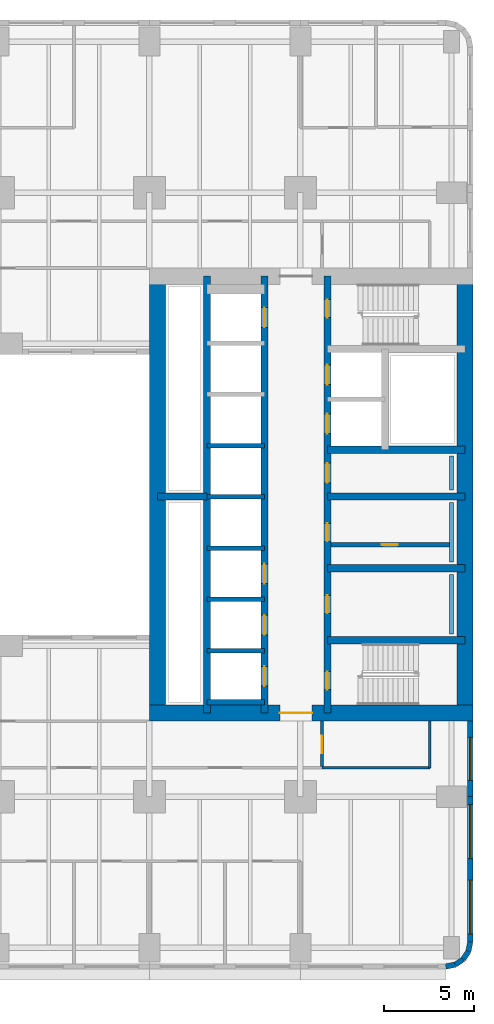
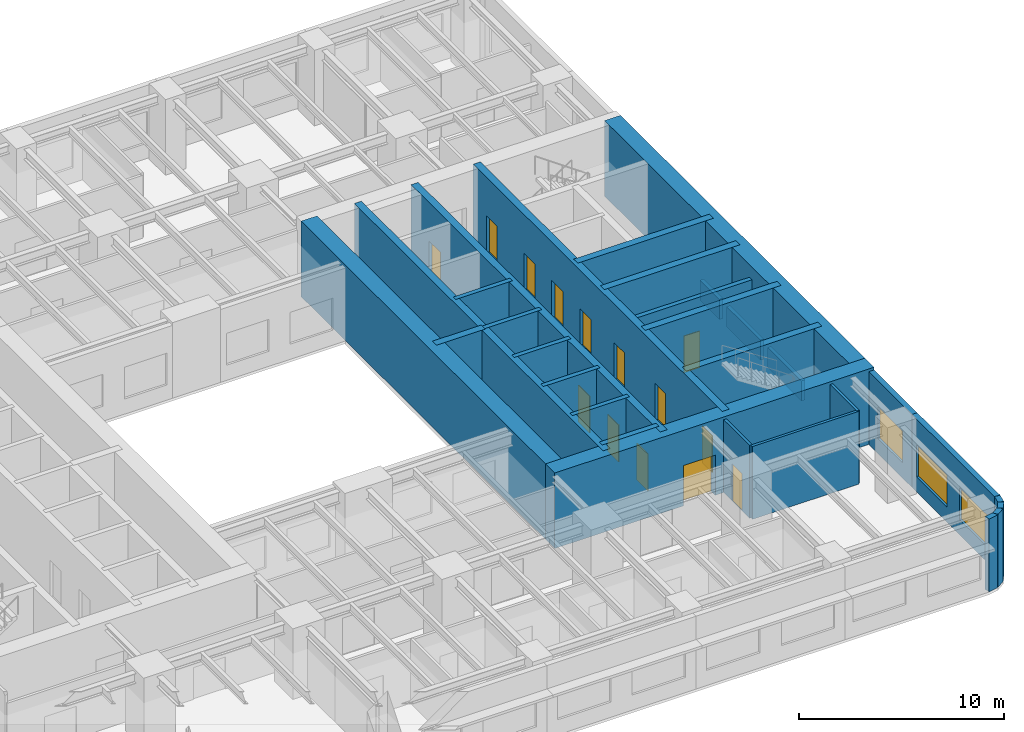
# One storey, part 5 of 12: 30 walls, 14 doors, 3 windows, 17 openings.
"""IFC4 building model written with IfcOpenShell, lengths in metres."""

from ifc_helpers import new_model, si_unit, direction, frame, frame_2d, origin, place, context, subcontext, project, spatial, rectangle, extrude, material, layer, layer_set, type_object, element, fill, save


model = new_model("IFC4")

# Units and contexts
model_context = context("Model", 3, precision=1e-05, world=origin(), true_north=direction((0.0, 1.0)))
body_context = subcontext(model_context, "Body", "Model", "MODEL_VIEW")
ifc_project = project(units=[si_unit("LENGTHUNIT", "METRE"), si_unit("AREAUNIT", "SQUARE_METRE"), si_unit("VOLUMEUNIT", "CUBIC_METRE"), si_unit("PLANEANGLEUNIT", "RADIAN"), si_unit("MASSUNIT", "GRAM", prefix="KILO")], contexts=[model_context])

# Site, building, storey
site_placement = place(None, origin())
site = spatial("IfcSite", under=ifc_project, at=site_placement, CompositionType="ELEMENT")
building_placement = place(site_placement, origin())
building = spatial("IfcBuilding", under=site, at=building_placement, Name="Claustro Exchange Tower", CompositionType="ELEMENT")
storey_placement = place(building_placement, frame((0.0, 0.0, 63.89990234375)))
storey = spatial("IfcBuildingStorey", under=building, at=storey_placement, Name="L14", CompositionType="ELEMENT", Elevation=63.89990234375)

# Wall, opening, door
ifc_material_1 = material(Name="Gypsum board on steel studs", Category="steel")
ifc_layer_1 = layer(ifc_material_1, 0.14990234375)
ifc_layer_set_1 = layer_set([ifc_layer_1], Name="Gypsum board on steel studs")
wall_type_1 = type_object("IfcWallType", Name="P1 150 plasterboard partition", PredefinedType="PARTITIONING", material=ifc_layer_set_1)
wall_1_placement = place(storey_placement, frame((43.199951171875, 10.073974609375, 0.0), z_axis=(0.0, 0.0, 1.0), x_axis=(0.0, 1.0, 0.0)))
wall_1 = element("IfcWall", 1, at=wall_1_placement, inside=storey, type_object=wall_type_1, Name="Partition P1 L14", PredefinedType="PARTITIONING", context=body_context, shape_type="SweptSolid", body=[
    extrude(rectangle(XDim=2.528076171875, YDim=0.14990234375, at=frame_2d((1.26416015625, 0.0))), origin(), (0.0, 0.0, 1.0), 4.340087890625),
])
opening_1_placement = place(wall_1_placement, frame((0.72607421875, 0.0, 0.0)))
opening_1 = element("IfcOpeningElement", 2, at=opening_1_placement, cuts=wall_1, Name="Opening D1", PredefinedType="OPENING", context=body_context, shape_type="SweptSolid", body=[
    extrude(rectangle(XDim=1.0, YDim=2.199951171875, at=frame_2d((0.5, 1.10009765625))), frame((0.0, 0.0849609375, 0.0), z_axis=(0.0, -1.0, 0.0), x_axis=(1.0, 0.0, 0.0)), (0.0, 0.0, 1.0), 0.169921875),
])
ifc_material_2 = material(Name="Timber door, oak veneer", Category="wood")
door_type_1 = type_object("IfcDoorType", Name="D1 1000 x 2200 single door", OperationType="SINGLE_SWING_LEFT", PredefinedType="DOOR", material=ifc_material_2)
door_1_placement = place(opening_1_placement, frame((1.0, 0.0, 0.0), z_axis=(0.0, 0.0, 1.0), x_axis=(-1.0, 0.0, 0.0)))
door_1 = element("IfcDoor", 3, at=door_1_placement, inside=storey, type_object=door_type_1, Name="Door D1 L14", OperationType="SINGLE_SWING_RIGHT", OverallHeight=2.199951171875, OverallWidth=1.0, PredefinedType="DOOR", context=body_context, shape_type="SweptSolid", body=[
    extrude(rectangle(XDim=1.0, YDim=2.199951171875, at=frame_2d((0.5, 1.10009765625))), frame((0.0, 0.02490234375, 0.0), z_axis=(0.0, -1.0, 0.0), x_axis=(1.0, 0.0, 0.0)), (0.0, 0.0, 1.0), 0.050048828125),
])
fill(opening_1, door_1)

# Walls
wall_2_placement = place(storey_placement, frame((43.197998046875, 10.0, 0.0), z_axis=(0.0, 0.0, 1.0), x_axis=(1.0, 0.0, 0.0)))
element("IfcWall", 4, at=wall_2_placement, inside=storey, type_object=wall_type_1, Name="Partition P1 L14", PredefinedType="PARTITIONING", context=body_context, shape_type="SweptSolid", body=[
    extrude(rectangle(XDim=6.001953125, YDim=0.14990234375, at=frame_2d((3.0009765625, 0.0))), origin(), (0.0, 0.0, 1.0), 4.340087890625),
])
wall_3_placement = place(storey_placement, frame((49.199951171875, 10.0, 0.0), z_axis=(0.0, 0.0, 1.0), x_axis=(0.0, 1.0, 0.0)))
element("IfcWall", 5, at=wall_3_placement, inside=storey, type_object=wall_type_1, Name="Partition P1 L14", PredefinedType="PARTITIONING", context=body_context, shape_type="SweptSolid", body=[
    extrude(rectangle(XDim=2.60205078125, YDim=0.14990234375, at=frame_2d((1.301025390625, 0.0))), origin(), (0.0, 0.0, 1.0), 4.340087890625),
])

# Wall, opening, door
ifc_material_3 = material(Name="Concrete blockwork, rendered", Category="masonry")
ifc_layer_2 = layer(ifc_material_3, 0.25)
ifc_layer_set_2 = layer_set([ifc_layer_2], Name="Concrete blockwork, rendered")
wall_type_2 = type_object("IfcWallType", Name="P4 250 blockwork wall", PredefinedType="PARTITIONING", material=ifc_layer_set_2)
wall_4_placement = place(storey_placement, frame((43.699951171875, 22.39990234375, 0.0), z_axis=(0.0, 0.0, 1.0), x_axis=(1.0, 0.0, 0.0)))
wall_4 = element("IfcWall", 6, at=wall_4_placement, inside=storey, type_object=wall_type_2, Name="Partition P4 L14", PredefinedType="PARTITIONING", context=body_context, shape_type="SweptSolid", body=[
    extrude(rectangle(XDim=6.60009765625, YDim=0.25, at=frame_2d((3.300048828125, 0.0))), origin(), (0.0, 0.0, 1.0), 4.300048828125),
])
opening_2_placement = place(wall_4_placement, frame((2.824951171875, 0.0, 0.0)))
opening_2 = element("IfcOpeningElement", 7, at=opening_2_placement, cuts=wall_4, Name="Opening D5", PredefinedType="OPENING", context=body_context, shape_type="SweptSolid", body=[
    extrude(rectangle(XDim=0.89990234375, YDim=2.199951171875, at=frame_2d((0.449951171875, 1.10009765625))), frame((0.0, 0.135009765625, 0.0), z_axis=(0.0, -1.0, 0.0), x_axis=(1.0, 0.0, 0.0)), (0.0, 0.0, 1.0), 0.27001953125),
])
ifc_material_4 = material(Name="Steel door, painted", Category="steel")
door_type_2 = type_object("IfcDoorType", Name="D5 900 x 2200 store door", OperationType="SINGLE_SWING_LEFT", PredefinedType="DOOR", material=ifc_material_4)
door_2_placement = place(opening_2_placement, frame((0.89990234375, 0.0, 0.0), z_axis=(0.0, 0.0, 1.0), x_axis=(-1.0, 0.0, 0.0)))
door_2 = element("IfcDoor", 8, at=door_2_placement, inside=storey, type_object=door_type_2, Name="Store door D5 L14", OperationType="SINGLE_SWING_LEFT", OverallHeight=2.199951171875, OverallWidth=0.89990234375, PredefinedType="DOOR", context=body_context, shape_type="SweptSolid", body=[
    extrude(rectangle(XDim=0.89990234375, YDim=2.199951171875, at=frame_2d((0.449951171875, 1.10009765625))), frame((0.0, 0.02490234375, 0.0), z_axis=(0.0, -1.0, 0.0), x_axis=(1.0, 0.0, 0.0)), (0.0, 0.0, 1.0), 0.050048828125),
])
fill(opening_2, door_2)

# Wall, opening, window
ifc_material_5 = material(Name="Concrete HA-40 (C40/50), precast, white cement, acid-etched", Category="concrete")
ifc_layer_3 = layer(ifc_material_5, 0.300048828125)
ifc_layer_set_3 = layer_set([ifc_layer_3], Name="Concrete HA-40 (C40/50), precast, white cement, acid-etched")
wall_type_3 = type_object("IfcWallType", Name="PC1 300 precast concrete pier panel", PredefinedType="SOLIDWALL", material=ifc_layer_set_3)
wall_5_placement = place(storey_placement, frame((51.449951171875, 12.60009765625, 0.0), z_axis=(0.0, 0.0, 1.0), x_axis=(0.0, -1.0, 0.0)))
wall_5 = element("IfcWall", 9, at=wall_5_placement, inside=storey, type_object=wall_type_3, Name="Precast pier panel PC1 L14", PredefinedType="SOLIDWALL", context=body_context, shape_type="SweptSolid", body=[
    extrude(rectangle(XDim=4.2001953125, YDim=0.300048828125, at=frame_2d((2.10009765625, 0.0))), origin(), (0.0, 0.0, 1.0), 4.340087890625),
])
opening_3_placement = place(wall_5_placement, frame((0.89990234375, 0.0, 0.89990234375)))
opening_3 = element("IfcOpeningElement", 10, at=opening_3_placement, cuts=wall_5, Name="Opening W2", PredefinedType="OPENING", context=body_context, shape_type="SweptSolid", body=[
    extrude(rectangle(XDim=2.39990234375, YDim=1.89990234375, at=frame_2d((1.199951171875, 0.949951171875))), frame((0.0, 0.159912109375, 0.0), z_axis=(0.0, -1.0, 0.0), x_axis=(1.0, 0.0, 0.0)), (0.0, 0.0, 1.0), 0.320068359375),
])
ifc_material_6 = material(Name="Aluminium frame, clear double glazing", Category="aluminium")
window_type_1 = type_object("IfcWindowType", Name="W2 2400 x 1900 window", PartitioningType="SINGLE_PANEL", PredefinedType="WINDOW", material=ifc_material_6)
window_1_placement = place(opening_3_placement, origin())
window_1 = element("IfcWindow", 11, at=window_1_placement, inside=storey, type_object=window_type_1, Name="Window W2 L14", OverallHeight=1.89990234375, OverallWidth=2.39990234375, PartitioningType="SINGLE_PANEL", PredefinedType="WINDOW", context=body_context, shape_type="SweptSolid", body=[
    extrude(rectangle(XDim=2.39990234375, YDim=1.89990234375, at=frame_2d((1.199951171875, 0.949951171875))), frame((0.0, 0.030029296875, 0.0), z_axis=(0.0, -1.0, 0.0), x_axis=(1.0, 0.0, 0.0)), (0.0, 0.0, 1.0), 0.06005859375),
])
fill(opening_3, window_1)

# Wall, openings, windows
wall_6_placement = place(storey_placement, frame((51.449951171875, 8.39990234375, 0.0), z_axis=(0.0, 0.0, 1.0), x_axis=(0.0, -1.0, 0.0)))
wall_6 = element("IfcWall", 12, at=wall_6_placement, inside=storey, type_object=wall_type_3, Name="Precast pier panel PC1 L14", PredefinedType="SOLIDWALL", context=body_context, shape_type="SweptSolid", body=[
    extrude(rectangle(XDim=8.085205078125, YDim=0.300048828125, at=frame_2d((4.04248046875, 0.0))), origin(), (0.0, 0.0, 1.0), 4.340087890625),
])
opening_4_placement = place(wall_6_placement, frame((0.442626953125, 0.0, 0.89990234375)))
opening_4 = element("IfcOpeningElement", 13, at=opening_4_placement, cuts=wall_6, Name="Opening W1", PredefinedType="OPENING", context=body_context, shape_type="SweptSolid", body=[
    extrude(rectangle(XDim=3.0, YDim=1.89990234375, at=frame_2d((1.5, 0.949951171875))), frame((0.0, 0.159912109375, 0.0), z_axis=(0.0, -1.0, 0.0), x_axis=(1.0, 0.0, 0.0)), (0.0, 0.0, 1.0), 0.320068359375),
])
opening_5_placement = place(wall_6_placement, frame((4.642578125, 0.0, 0.89990234375)))
opening_5 = element("IfcOpeningElement", 14, at=opening_5_placement, cuts=wall_6, Name="Opening W1", PredefinedType="OPENING", context=body_context, shape_type="SweptSolid", body=[
    extrude(rectangle(XDim=3.0, YDim=1.89990234375, at=frame_2d((1.5, 0.949951171875))), frame((0.0, 0.159912109375, 0.0), z_axis=(0.0, -1.0, 0.0), x_axis=(1.0, 0.0, 0.0)), (0.0, 0.0, 1.0), 0.320068359375),
])
ifc_material_7 = material(Name="Aluminium frame, clear double glazing", Category="aluminium")
window_type_2 = type_object("IfcWindowType", Name="W1 3000 x 1900 window", PartitioningType="SINGLE_PANEL", PredefinedType="WINDOW", material=ifc_material_7)
window_2_placement = place(opening_4_placement, origin())
window_2 = element("IfcWindow", 15, at=window_2_placement, inside=storey, type_object=window_type_2, Name="Window W1 L14", OverallHeight=1.89990234375, OverallWidth=3.0, PartitioningType="SINGLE_PANEL", PredefinedType="WINDOW", context=body_context, shape_type="SweptSolid", body=[
    extrude(rectangle(XDim=3.0, YDim=1.89990234375, at=frame_2d((1.5, 0.949951171875))), frame((0.0, 0.030029296875, 0.0), z_axis=(0.0, -1.0, 0.0), x_axis=(1.0, 0.0, 0.0)), (0.0, 0.0, 1.0), 0.06005859375),
])
fill(opening_4, window_2)
window_3_placement = place(opening_5_placement, origin())
window_3 = element("IfcWindow", 16, at=window_3_placement, inside=storey, type_object=window_type_2, Name="Window W1 L14", OverallHeight=1.89990234375, OverallWidth=3.0, PartitioningType="SINGLE_PANEL", PredefinedType="WINDOW", context=body_context, shape_type="SweptSolid", body=[
    extrude(rectangle(XDim=3.0, YDim=1.89990234375, at=frame_2d((1.5, 0.949951171875))), frame((0.0, 0.030029296875, 0.0), z_axis=(0.0, -1.0, 0.0), x_axis=(1.0, 0.0, 0.0)), (0.0, 0.0, 1.0), 0.06005859375),
])
fill(opening_5, window_3)

# Walls
wall_7_placement = place(storey_placement, frame((51.449951171875, 0.314697265625, 0.0), z_axis=(0.0, 0.0, 1.0), x_axis=(-0.195073962632, -0.980788534345, 0.0)))
element("IfcWall", 17, at=wall_7_placement, inside=storey, type_object=wall_type_3, Name="Precast pier panel PC1 L14", PredefinedType="SOLIDWALL", context=body_context, shape_type="SweptSolid", body=[
    extrude(rectangle(XDim=0.540771484375, YDim=0.300048828125, at=frame_2d((0.2705078125, 0.0))), origin(), (0.0, 0.0, 1.0), 4.340087890625),
])
for number, where, z_axis, x_axis, name in (
    (18, (51.344482421875, -0.215576171875, 0.0), (0.0, 0.0, 1.0), (-0.555557463938, -0.831478144188, 0.0), "Precast pier panel PC1 L14"),
    (19, (51.052490234375, -0.652587890625, 0.0), (0.0, 0.0, 1.0), (-0.831478144188, -0.555557463938, 0.0), "Precast pier panel PC1 L14"),
):
    element("IfcWall", number, at=place(storey_placement, frame(where, z_axis=z_axis, x_axis=x_axis)), inside=storey, type_object=wall_type_3, Name=name, PredefinedType="SOLIDWALL", context=body_context, shape_type="SweptSolid", body=[
        extrude(rectangle(XDim=0.525634765625, YDim=0.300048828125, at=frame_2d((0.2626953125, 0.0))), origin(), (0.0, 0.0, 1.0), 4.340087890625),
    ])
wall_8_placement = place(storey_placement, frame((50.615478515625, -0.944580078125, 0.0), z_axis=(0.0, 0.0, 1.0), x_axis=(-0.980788534345, -0.195073962632, 0.0)))
element("IfcWall", 20, at=wall_8_placement, inside=storey, type_object=wall_type_3, Name="Precast pier panel PC1 L14", PredefinedType="SOLIDWALL", context=body_context, shape_type="SweptSolid", body=[
    extrude(rectangle(XDim=0.540771484375, YDim=0.300048828125, at=frame_2d((0.2705078125, 0.0))), origin(), (0.0, 0.0, 1.0), 4.340087890625),
])
ifc_material_8 = material(Name="Gypsum board on steel studs, tiled", Category="steel")
ifc_layer_4 = layer(ifc_material_8, 0.199951171875)
ifc_layer_set_4 = layer_set([ifc_layer_4], Name="Gypsum board on steel studs, tiled")
wall_type_4 = type_object("IfcWallType", Name="PW1 200 WC duct wall", PredefinedType="PLUMBINGWALL", material=ifc_layer_set_4)
for number, where, z_axis, x_axis, name in (
    (21, (50.39990234375, 17.449951171875, 0.0), (0.0, 0.0, 1.0), (0.0, 1.0, 0.0), "WC duct wall PW1 L14"),
    (22, (50.39990234375, 21.449951171875, 0.0), (0.0, 0.0, 1.0), (0.0, 1.0, 0.0), "WC duct wall PW1 L14"),
):
    element("IfcWall", number, at=place(storey_placement, frame(where, z_axis=z_axis, x_axis=x_axis)), inside=storey, type_object=wall_type_4, Name=name, PredefinedType="PLUMBINGWALL", context=body_context, shape_type="SweptSolid", body=[
        extrude(rectangle(XDim=3.300048828125, YDim=0.199951171875, at=frame_2d((1.64990234375, 0.0))), origin(), (0.0, 0.0, 1.0), 1.2001953125),
    ])
wall_9_placement = place(storey_placement, frame((50.39990234375, 25.449951171875, 0.0), z_axis=(0.0, 0.0, 1.0), x_axis=(0.0, 1.0, 0.0)))
element("IfcWall", 23, at=wall_9_placement, inside=storey, type_object=wall_type_4, Name="WC duct wall PW1 L14", PredefinedType="PLUMBINGWALL", context=body_context, shape_type="SweptSolid", body=[
    extrude(rectangle(XDim=1.900146484375, YDim=0.199951171875, at=frame_2d((0.9501953125, 0.0))), origin(), (0.0, 0.0, 1.0), 1.2001953125),
])

# Wall, opening, door
ifc_material_9 = material(Name="Concrete HA-70 (C70/85)", Category="concrete")
ifc_layer_5 = layer(ifc_material_9, 0.89990234375)
ifc_layer_set_5 = layer_set([ifc_layer_5], Name="Concrete HA-70 (C70/85)")
wall_type_5 = type_object("IfcWallType", Name="SW1 900 core shear wall", PredefinedType="SHEAR", material=ifc_layer_set_5)
wall_10_placement = place(storey_placement, frame((33.60009765625, 13.050048828125, 0.0), z_axis=(0.0, 0.0, 1.0), x_axis=(1.0, 0.0, 0.0)))
wall_10 = element("IfcWall", 24, at=wall_10_placement, inside=storey, type_object=wall_type_5, Name="Core wall SW1 E core S face L14", PredefinedType="SHEAR", context=body_context, shape_type="SweptSolid", body=[
    extrude(rectangle(XDim=18.0, YDim=0.89990234375, at=frame_2d((9.0, 0.0))), origin(), (0.0, 0.0, 1.0), 4.5),
])
opening_6_placement = place(wall_10_placement, frame((7.25, 0.0, 0.0)))
opening_6 = element("IfcOpeningElement", 25, at=opening_6_placement, cuts=wall_10, Name="Opening D3", PredefinedType="OPENING", context=body_context, shape_type="SweptSolid", body=[
    extrude(rectangle(XDim=1.800048828125, YDim=2.39990234375, at=frame_2d((0.89990234375, 1.199951171875))), frame((0.0, 0.4599609375, 0.0), z_axis=(0.0, -1.0, 0.0), x_axis=(1.0, 0.0, 0.0)), (0.0, 0.0, 1.0), 0.919921875),
])
ifc_material_10 = material(Name="Steel fire door, painted", Category="steel")
door_type_3 = type_object("IfcDoorType", Name="D3 1800 x 2400 fire-rated lobby double door", OperationType="DOUBLE_DOOR_SINGLE_SWING", PredefinedType="DOOR", material=ifc_material_10)
door_3_placement = place(opening_6_placement, origin())
door_3 = element("IfcDoor", 26, at=door_3_placement, inside=storey, type_object=door_type_3, Name="Lift lobby door D3 L14", OperationType="DOUBLE_DOOR_SINGLE_SWING", OverallHeight=2.39990234375, OverallWidth=1.800048828125, PredefinedType="DOOR", context=body_context, shape_type="SweptSolid", body=[
    extrude(rectangle(XDim=1.800048828125, YDim=2.39990234375, at=frame_2d((0.89990234375, 1.199951171875))), frame((0.0, 0.02490234375, 0.0), z_axis=(0.0, -1.0, 0.0), x_axis=(1.0, 0.0, 0.0)), (0.0, 0.0, 1.0), 0.050048828125),
])
fill(opening_6, door_3)

# Walls
ifc_material_11 = material(Name="Concrete HA-70 (C70/85)", Category="concrete")
ifc_layer_6 = layer(ifc_material_11, 0.89990234375)
ifc_layer_set_6 = layer_set([ifc_layer_6], Name="Concrete HA-70 (C70/85)")
wall_type_6 = type_object("IfcWallType", Name="SW1X 900 exposed core shear wall, board-marked face", PredefinedType="SHEAR", material=ifc_layer_set_6)
for number, where, z_axis, x_axis, name in (
    (27, (34.050048828125, 13.050048828125, 0.0), (0.0, 0.0, 1.0), (0.0, 1.0, 0.0), "Core wall SW1X E core W face L14"),
    (28, (51.14990234375, 13.050048828125, 0.0), (0.0, 0.0, 1.0), (0.0, 1.0, 0.0), "Core wall SW1X E core E face L14"),
):
    element("IfcWall", number, at=place(storey_placement, frame(where, z_axis=z_axis, x_axis=x_axis)), inside=storey, type_object=wall_type_6, Name=name, PredefinedType="SHEAR", context=body_context, shape_type="SweptSolid", body=[
        extrude(rectangle(XDim=24.300048828125, YDim=0.89990234375, at=frame_2d((12.14990234375, 0.0))), origin(), (0.0, 0.0, 1.0), 4.5),
    ])

# Wall, openings, doors
ifc_material_12 = material(Name="Concrete HA-50 (C50/60)", Category="concrete")
ifc_layer_7 = layer(ifc_material_12, 0.39990234375)
ifc_layer_set_7 = layer_set([ifc_layer_7], Name="Concrete HA-50 (C50/60)")
wall_type_7 = type_object("IfcWallType", Name="SW4 400 internal core wall", PredefinedType="SHEAR", material=ifc_layer_set_7)
wall_11_placement = place(storey_placement, frame((43.5, 13.050048828125, 0.0), z_axis=(0.0, 0.0, 1.0), x_axis=(0.0, 1.0, 0.0)))
wall_11 = element("IfcWall", 29, at=wall_11_placement, inside=storey, type_object=wall_type_7, Name="Internal core wall SW4 E core L14", PredefinedType="SHEAR", context=body_context, shape_type="SweptSolid", body=[
    extrude(rectangle(XDim=24.300048828125, YDim=0.39990234375, at=frame_2d((12.14990234375, 0.0))), origin(), (0.0, 0.0, 1.0), 4.5),
])
opening_7_placement = place(wall_11_placement, frame((1.300048828125, 0.0, 0.0)))
opening_7 = element("IfcOpeningElement", 30, at=opening_7_placement, cuts=wall_11, Name="Opening D4", PredefinedType="OPENING", context=body_context, shape_type="SweptSolid", body=[
    extrude(rectangle(XDim=1.0, YDim=2.199951171875, at=frame_2d((0.5, 1.10009765625))), frame((0.0, 0.2099609375, 0.0), z_axis=(0.0, -1.0, 0.0), x_axis=(1.0, 0.0, 0.0)), (0.0, 0.0, 1.0), 0.419921875),
])
opening_8_placement = place(wall_11_placement, frame((22.0, 0.0, 0.0)))
opening_8 = element("IfcOpeningElement", 31, at=opening_8_placement, cuts=wall_11, Name="Opening D4", PredefinedType="OPENING", context=body_context, shape_type="SweptSolid", body=[
    extrude(rectangle(XDim=1.0, YDim=2.199951171875, at=frame_2d((0.5, 1.10009765625))), frame((0.0, 0.2099609375, 0.0), z_axis=(0.0, -1.0, 0.0), x_axis=(1.0, 0.0, 0.0)), (0.0, 0.0, 1.0), 0.419921875),
])
opening_9_placement = place(wall_11_placement, frame((5.550048828125, 0.0, 0.0)))
opening_9 = element("IfcOpeningElement", 32, at=opening_9_placement, cuts=wall_11, Name="Opening D1", PredefinedType="OPENING", context=body_context, shape_type="SweptSolid", body=[
    extrude(rectangle(XDim=1.0, YDim=2.199951171875, at=frame_2d((0.5, 1.10009765625))), frame((0.0, 0.2099609375, 0.0), z_axis=(0.0, -1.0, 0.0), x_axis=(1.0, 0.0, 0.0)), (0.0, 0.0, 1.0), 0.419921875),
])
opening_10_placement = place(wall_11_placement, frame((9.550048828125, 0.0, 0.0)))
opening_10 = element("IfcOpeningElement", 33, at=opening_10_placement, cuts=wall_11, Name="Opening D1", PredefinedType="OPENING", context=body_context, shape_type="SweptSolid", body=[
    extrude(rectangle(XDim=1.0, YDim=2.199951171875, at=frame_2d((0.5, 1.10009765625))), frame((0.0, 0.2099609375, 0.0), z_axis=(0.0, -1.0, 0.0), x_axis=(1.0, 0.0, 0.0)), (0.0, 0.0, 1.0), 0.419921875),
])
opening_11_placement = place(wall_11_placement, frame((12.800048828125, 0.0, 0.0)))
opening_11 = element("IfcOpeningElement", 34, at=opening_11_placement, cuts=wall_11, Name="Opening D10", PredefinedType="OPENING", context=body_context, shape_type="SweptSolid", body=[
    extrude(rectangle(XDim=1.10009765625, YDim=2.199951171875, at=frame_2d((0.550048828125, 1.10009765625))), frame((0.0, 0.2099609375, 0.0), z_axis=(0.0, -1.0, 0.0), x_axis=(1.0, 0.0, 0.0)), (0.0, 0.0, 1.0), 0.419921875),
])
opening_12_placement = place(wall_11_placement, frame((15.53759765625, 0.0, 0.0)))
opening_12 = element("IfcOpeningElement", 35, at=opening_12_placement, cuts=wall_11, Name="Opening LD", PredefinedType="OPENING", context=body_context, shape_type="SweptSolid", body=[
    extrude(rectangle(XDim=1.10009765625, YDim=2.199951171875, at=frame_2d((0.550048828125, 1.10009765625))), frame((0.0, 0.2099609375, 0.0), z_axis=(0.0, -1.0, 0.0), x_axis=(1.0, 0.0, 0.0)), (0.0, 0.0, 1.0), 0.419921875),
])
opening_13_placement = place(wall_11_placement, frame((18.262451171875, 0.0, 0.0)))
opening_13 = element("IfcOpeningElement", 36, at=opening_13_placement, cuts=wall_11, Name="Opening LD", PredefinedType="OPENING", context=body_context, shape_type="SweptSolid", body=[
    extrude(rectangle(XDim=1.10009765625, YDim=2.199951171875, at=frame_2d((0.550048828125, 1.10009765625))), frame((0.0, 0.2099609375, 0.0), z_axis=(0.0, -1.0, 0.0), x_axis=(1.0, 0.0, 0.0)), (0.0, 0.0, 1.0), 0.419921875),
])
door_4_placement = place(opening_9_placement, frame((1.0, 0.0, 0.0), z_axis=(0.0, 0.0, 1.0), x_axis=(-1.0, 0.0, 0.0)))
door_4 = element("IfcDoor", 37, at=door_4_placement, inside=storey, type_object=door_type_1, Name="Door D1 L14", OperationType="SINGLE_SWING_LEFT", OverallHeight=2.199951171875, OverallWidth=1.0, PredefinedType="DOOR", context=body_context, shape_type="SweptSolid", body=[
    extrude(rectangle(XDim=1.0, YDim=2.199951171875, at=frame_2d((0.5, 1.10009765625))), frame((0.0, 0.02490234375, 0.0), z_axis=(0.0, -1.0, 0.0), x_axis=(1.0, 0.0, 0.0)), (0.0, 0.0, 1.0), 0.050048828125),
])
fill(opening_9, door_4)
door_5_placement = place(opening_10_placement, frame((1.0, 0.0, 0.0), z_axis=(0.0, 0.0, 1.0), x_axis=(-1.0, 0.0, 0.0)))
door_5 = element("IfcDoor", 38, at=door_5_placement, inside=storey, type_object=door_type_1, Name="Door D1 L14", OperationType="SINGLE_SWING_RIGHT", OverallHeight=2.199951171875, OverallWidth=1.0, PredefinedType="DOOR", context=body_context, shape_type="SweptSolid", body=[
    extrude(rectangle(XDim=1.0, YDim=2.199951171875, at=frame_2d((0.5, 1.10009765625))), frame((0.0, 0.02490234375, 0.0), z_axis=(0.0, -1.0, 0.0), x_axis=(1.0, 0.0, 0.0)), (0.0, 0.0, 1.0), 0.050048828125),
])
fill(opening_10, door_5)
ifc_material_13 = material(Name="Timber door, oak veneer", Category="wood")
door_type_4 = type_object("IfcDoorType", Name="D10 1100 x 2200 accessible WC door", OperationType="SINGLE_SWING_LEFT", PredefinedType="DOOR", material=ifc_material_13)
door_6_placement = place(opening_11_placement, origin())
door_6 = element("IfcDoor", 39, at=door_6_placement, inside=storey, type_object=door_type_4, Name="Accessible WC door D10 L14", OperationType="SINGLE_SWING_RIGHT", OverallHeight=2.199951171875, OverallWidth=1.10009765625, PredefinedType="DOOR", context=body_context, shape_type="SweptSolid", body=[
    extrude(rectangle(XDim=1.10009765625, YDim=2.199951171875, at=frame_2d((0.550048828125, 1.10009765625))), frame((0.0, 0.02490234375, 0.0), z_axis=(0.0, -1.0, 0.0), x_axis=(1.0, 0.0, 0.0)), (0.0, 0.0, 1.0), 0.050048828125),
])
fill(opening_11, door_6)
ifc_material_14 = material(Name="Steel fire door, painted", Category="steel")
door_type_5 = type_object("IfcDoorType", Name="D4 1000 x 2200 fire-rated stair door", OperationType="SINGLE_SWING_LEFT", PredefinedType="DOOR", material=ifc_material_14)
door_7_placement = place(opening_7_placement, frame((1.0, 0.0, 0.0), z_axis=(0.0, 0.0, 1.0), x_axis=(-1.0, 0.0, 0.0)))
door_7 = element("IfcDoor", 40, at=door_7_placement, inside=storey, type_object=door_type_5, Name="Stair door D4 L14", OperationType="SINGLE_SWING_RIGHT", OverallHeight=2.199951171875, OverallWidth=1.0, PredefinedType="DOOR", context=body_context, shape_type="SweptSolid", body=[
    extrude(rectangle(XDim=1.0, YDim=2.199951171875, at=frame_2d((0.5, 1.10009765625))), frame((0.0, 0.02490234375, 0.0), z_axis=(0.0, -1.0, 0.0), x_axis=(1.0, 0.0, 0.0)), (0.0, 0.0, 1.0), 0.050048828125),
])
fill(opening_7, door_7)
door_8_placement = place(opening_8_placement, frame((1.0, 0.0, 0.0), z_axis=(0.0, 0.0, 1.0), x_axis=(-1.0, 0.0, 0.0)))
door_8 = element("IfcDoor", 41, at=door_8_placement, inside=storey, type_object=door_type_5, Name="Stair door D4 L14", OperationType="SINGLE_SWING_LEFT", OverallHeight=2.199951171875, OverallWidth=1.0, PredefinedType="DOOR", context=body_context, shape_type="SweptSolid", body=[
    extrude(rectangle(XDim=1.0, YDim=2.199951171875, at=frame_2d((0.5, 1.10009765625))), frame((0.0, 0.02490234375, 0.0), z_axis=(0.0, -1.0, 0.0), x_axis=(1.0, 0.0, 0.0)), (0.0, 0.0, 1.0), 0.050048828125),
])
fill(opening_8, door_8)
ifc_material_15 = material(Name="Stainless steel sliding door", Category="steel")
door_type_6 = type_object("IfcDoorType", Name="LD 1100 x 2200 lift landing door", OperationType="DOUBLE_DOOR_SLIDING", PredefinedType="DOOR", material=ifc_material_15)
door_9_placement = place(opening_12_placement, origin())
door_9 = element("IfcDoor", 42, at=door_9_placement, inside=storey, type_object=door_type_6, Name="Lift landing door LEE1 LD L14", OperationType="DOUBLE_DOOR_SLIDING", OverallHeight=2.199951171875, OverallWidth=1.10009765625, PredefinedType="DOOR", context=body_context, shape_type="SweptSolid", body=[
    extrude(rectangle(XDim=1.10009765625, YDim=2.199951171875, at=frame_2d((0.550048828125, 1.10009765625))), frame((0.0, 0.02490234375, 0.0), z_axis=(0.0, -1.0, 0.0), x_axis=(1.0, 0.0, 0.0)), (0.0, 0.0, 1.0), 0.050048828125),
])
fill(opening_12, door_9)
door_10_placement = place(opening_13_placement, origin())
door_10 = element("IfcDoor", 43, at=door_10_placement, inside=storey, type_object=door_type_6, Name="Lift landing door LEE2 LD L14", OperationType="DOUBLE_DOOR_SLIDING", OverallHeight=2.199951171875, OverallWidth=1.10009765625, PredefinedType="DOOR", context=body_context, shape_type="SweptSolid", body=[
    extrude(rectangle(XDim=1.10009765625, YDim=2.199951171875, at=frame_2d((0.550048828125, 1.10009765625))), frame((0.0, 0.02490234375, 0.0), z_axis=(0.0, -1.0, 0.0), x_axis=(1.0, 0.0, 0.0)), (0.0, 0.0, 1.0), 0.050048828125),
])
fill(opening_13, door_10)

wall_12_placement = place(storey_placement, frame((40.0, 13.050048828125, 0.0), z_axis=(0.0, 0.0, 1.0), x_axis=(0.0, 1.0, 0.0)))
wall_12 = element("IfcWall", 44, at=wall_12_placement, inside=storey, type_object=wall_type_7, Name="Internal core wall SW4 E core L14", PredefinedType="SHEAR", context=body_context, shape_type="SweptSolid", body=[
    extrude(rectangle(XDim=24.300048828125, YDim=0.39990234375, at=frame_2d((12.14990234375, 0.0))), origin(), (0.0, 0.0, 1.0), 4.5),
])
opening_14_placement = place(wall_12_placement, frame((1.5, 0.0, 0.0)))
opening_14 = element("IfcOpeningElement", 45, at=opening_14_placement, cuts=wall_12, Name="Opening LD", PredefinedType="OPENING", context=body_context, shape_type="SweptSolid", body=[
    extrude(rectangle(XDim=1.10009765625, YDim=2.199951171875, at=frame_2d((0.550048828125, 1.10009765625))), frame((0.0, 0.2099609375, 0.0), z_axis=(0.0, -1.0, 0.0), x_axis=(1.0, 0.0, 0.0)), (0.0, 0.0, 1.0), 0.419921875),
])
opening_15_placement = place(wall_12_placement, frame((4.35009765625, 0.0, 0.0)))
opening_15 = element("IfcOpeningElement", 46, at=opening_15_placement, cuts=wall_12, Name="Opening LD", PredefinedType="OPENING", context=body_context, shape_type="SweptSolid", body=[
    extrude(rectangle(XDim=1.10009765625, YDim=2.199951171875, at=frame_2d((0.550048828125, 1.10009765625))), frame((0.0, 0.2099609375, 0.0), z_axis=(0.0, -1.0, 0.0), x_axis=(1.0, 0.0, 0.0)), (0.0, 0.0, 1.0), 0.419921875),
])
opening_16_placement = place(wall_12_placement, frame((7.199951171875, 0.0, 0.0)))
opening_16 = element("IfcOpeningElement", 47, at=opening_16_placement, cuts=wall_12, Name="Opening LD", PredefinedType="OPENING", context=body_context, shape_type="SweptSolid", body=[
    extrude(rectangle(XDim=1.10009765625, YDim=2.199951171875, at=frame_2d((0.550048828125, 1.10009765625))), frame((0.0, 0.2099609375, 0.0), z_axis=(0.0, -1.0, 0.0), x_axis=(1.0, 0.0, 0.0)), (0.0, 0.0, 1.0), 0.419921875),
])
opening_17_placement = place(wall_12_placement, frame((21.449951171875, 0.0, 0.0)))
opening_17 = element("IfcOpeningElement", 48, at=opening_17_placement, cuts=wall_12, Name="Opening LD", PredefinedType="OPENING", context=body_context, shape_type="SweptSolid", body=[
    extrude(rectangle(XDim=1.10009765625, YDim=2.199951171875, at=frame_2d((0.550048828125, 1.10009765625))), frame((0.0, 0.2099609375, 0.0), z_axis=(0.0, -1.0, 0.0), x_axis=(1.0, 0.0, 0.0)), (0.0, 0.0, 1.0), 0.419921875),
])
door_11_placement = place(opening_14_placement, origin())
door_11 = element("IfcDoor", 49, at=door_11_placement, inside=storey, type_object=door_type_6, Name="Lift landing door LLE1 LD L14", OperationType="DOUBLE_DOOR_SLIDING", OverallHeight=2.199951171875, OverallWidth=1.10009765625, PredefinedType="DOOR", context=body_context, shape_type="SweptSolid", body=[
    extrude(rectangle(XDim=1.10009765625, YDim=2.199951171875, at=frame_2d((0.550048828125, 1.10009765625))), frame((0.0, 0.02490234375, 0.0), z_axis=(0.0, -1.0, 0.0), x_axis=(1.0, 0.0, 0.0)), (0.0, 0.0, 1.0), 0.050048828125),
])
fill(opening_14, door_11)
door_12_placement = place(opening_15_placement, origin())
door_12 = element("IfcDoor", 50, at=door_12_placement, inside=storey, type_object=door_type_6, Name="Lift landing door LLE2 LD L14", OperationType="DOUBLE_DOOR_SLIDING", OverallHeight=2.199951171875, OverallWidth=1.10009765625, PredefinedType="DOOR", context=body_context, shape_type="SweptSolid", body=[
    extrude(rectangle(XDim=1.10009765625, YDim=2.199951171875, at=frame_2d((0.550048828125, 1.10009765625))), frame((0.0, 0.02490234375, 0.0), z_axis=(0.0, -1.0, 0.0), x_axis=(1.0, 0.0, 0.0)), (0.0, 0.0, 1.0), 0.050048828125),
])
fill(opening_15, door_12)
door_13_placement = place(opening_16_placement, origin())
door_13 = element("IfcDoor", 51, at=door_13_placement, inside=storey, type_object=door_type_6, Name="Lift landing door LLE3 LD L14", OperationType="DOUBLE_DOOR_SLIDING", OverallHeight=2.199951171875, OverallWidth=1.10009765625, PredefinedType="DOOR", context=body_context, shape_type="SweptSolid", body=[
    extrude(rectangle(XDim=1.10009765625, YDim=2.199951171875, at=frame_2d((0.550048828125, 1.10009765625))), frame((0.0, 0.02490234375, 0.0), z_axis=(0.0, -1.0, 0.0), x_axis=(1.0, 0.0, 0.0)), (0.0, 0.0, 1.0), 0.050048828125),
])
fill(opening_16, door_13)
door_14_placement = place(opening_17_placement, origin())
door_14 = element("IfcDoor", 52, at=door_14_placement, inside=storey, type_object=door_type_6, Name="Lift landing door LSE1 LD L14", OperationType="DOUBLE_DOOR_SLIDING", OverallHeight=2.199951171875, OverallWidth=1.10009765625, PredefinedType="DOOR", context=body_context, shape_type="SweptSolid", body=[
    extrude(rectangle(XDim=1.10009765625, YDim=2.199951171875, at=frame_2d((0.550048828125, 1.10009765625))), frame((0.0, 0.02490234375, 0.0), z_axis=(0.0, -1.0, 0.0), x_axis=(1.0, 0.0, 0.0)), (0.0, 0.0, 1.0), 0.050048828125),
])
fill(opening_17, door_14)

# Walls
wall_13_placement = place(storey_placement, frame((36.800048828125, 13.050048828125, 0.0), z_axis=(0.0, 0.0, 1.0), x_axis=(0.0, 1.0, 0.0)))
element("IfcWall", 53, at=wall_13_placement, inside=storey, type_object=wall_type_7, Name="Internal core wall SW4 E core L14", PredefinedType="SHEAR", context=body_context, shape_type="SweptSolid", body=[
    extrude(rectangle(XDim=24.300048828125, YDim=0.39990234375, at=frame_2d((12.14990234375, 0.0))), origin(), (0.0, 0.0, 1.0), 4.5),
])
for number, where, z_axis, x_axis, name in (
    (54, (51.14990234375, 17.10009765625, 0.0), (0.0, 0.0, 1.0), (-1.0, 0.0, 0.0), "Internal core wall SW4 E core L14"),
    (55, (51.14990234375, 21.10009765625, 0.0), (0.0, 0.0, 1.0), (-1.0, 0.0, 0.0), "Internal core wall SW4 E core L14"),
    (56, (51.14990234375, 25.10009765625, 0.0), (0.0, 0.0, 1.0), (-1.0, 0.0, 0.0), "Internal core wall SW4 E core L14"),
    (57, (51.14990234375, 27.699951171875, 0.0), (0.0, 0.0, 1.0), (-1.0, 0.0, 0.0), "Internal core wall SW4 E core L14"),
):
    element("IfcWall", number, at=place(storey_placement, frame(where, z_axis=z_axis, x_axis=x_axis)), inside=storey, type_object=wall_type_7, Name=name, PredefinedType="SHEAR", context=body_context, shape_type="SweptSolid", body=[
        extrude(rectangle(XDim=7.64990234375, YDim=0.39990234375, at=frame_2d((3.824951171875, 0.0))), origin(), (0.0, 0.0, 1.0), 4.5),
    ])
wall_14_placement = place(storey_placement, frame((36.800048828125, 25.10009765625, 0.0), z_axis=(0.0, 0.0, 1.0), x_axis=(-1.0, 0.0, 0.0)))
element("IfcWall", 58, at=wall_14_placement, inside=storey, type_object=wall_type_7, Name="Internal core wall SW4 E core L14", PredefinedType="SHEAR", context=body_context, shape_type="SweptSolid", body=[
    extrude(rectangle(XDim=2.75, YDim=0.39990234375, at=frame_2d((1.375, 0.0))), origin(), (0.0, 0.0, 1.0), 4.5),
])
ifc_material_16 = material(Name="Concrete HA-50 (C50/60)", Category="concrete")
ifc_layer_8 = layer(ifc_material_16, 0.25)
ifc_layer_set_8 = layer_set([ifc_layer_8], Name="Concrete HA-50 (C50/60)")
wall_type_8 = type_object("IfcWallType", Name="SW5 250 lift shaft divider wall", PredefinedType="SHEAR", material=ifc_layer_set_8)
for number, where, z_axis, x_axis, name in (
    (59, (40.0, 16.52490234375, 0.0), (0.0, 0.0, 1.0), (-1.0, 0.0, 0.0), "Lift shaft wall E core L14"),
    (60, (40.0, 19.375, 0.0), (0.0, 0.0, 1.0), (-1.0, 0.0, 0.0), "Lift shaft wall E core L14"),
    (61, (40.0, 22.22509765625, 0.0), (0.0, 0.0, 1.0), (-1.0, 0.0, 0.0), "Lift shaft wall E core L14"),
    (62, (40.0, 25.074951171875, 0.0), (0.0, 0.0, 1.0), (-1.0, 0.0, 0.0), "Lift shaft wall E core L14"),
    (63, (40.0, 27.925048828125, 0.0), (0.0, 0.0, 1.0), (-1.0, 0.0, 0.0), "Lift shaft wall E core L14"),
):
    element("IfcWall", number, at=place(storey_placement, frame(where, z_axis=z_axis, x_axis=x_axis)), inside=storey, type_object=wall_type_8, Name=name, PredefinedType="SHEAR", context=body_context, shape_type="SweptSolid", body=[
        extrude(rectangle(XDim=3.199951171875, YDim=0.25, at=frame_2d((1.60009765625, 0.0))), origin(), (0.0, 0.0, 1.0), 4.5),
    ])
ifc_material_17 = material(Name="Concrete HA-50 (C50/60)", Category="concrete")
ifc_layer_9 = layer(ifc_material_17, 0.300048828125)
ifc_layer_set_9 = layer_set([ifc_layer_9], Name="Concrete HA-50 (C50/60)")
wall_type_9 = type_object("IfcWallType", Name="SW6A 300 lift shaft end wall", PredefinedType="SHEAR", material=ifc_layer_set_9)
wall_15_placement = place(storey_placement, frame((40.0, 13.64990234375, 0.0), z_axis=(0.0, 0.0, 1.0), x_axis=(-1.0, 0.0, 0.0)))
element("IfcWall", 64, at=wall_15_placement, inside=storey, type_object=wall_type_9, Name="Lift shaft wall E core L14", PredefinedType="SHEAR", context=body_context, shape_type="SweptSolid", body=[
    extrude(rectangle(XDim=3.199951171875, YDim=0.300048828125, at=frame_2d((1.60009765625, 0.0))), origin(), (0.0, 0.0, 1.0), 4.5),
])

save(model, "model.ifc")
